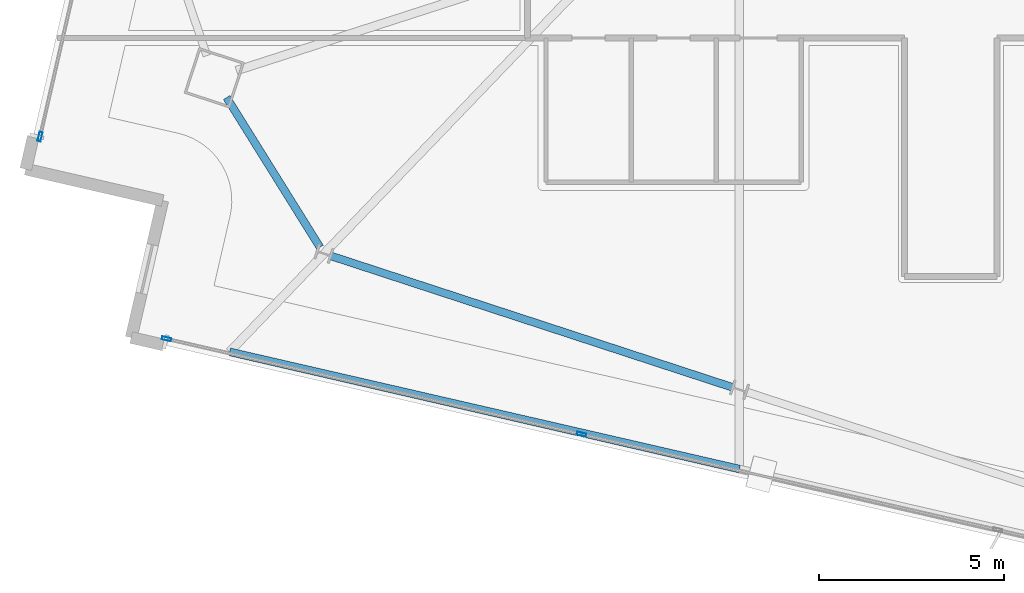
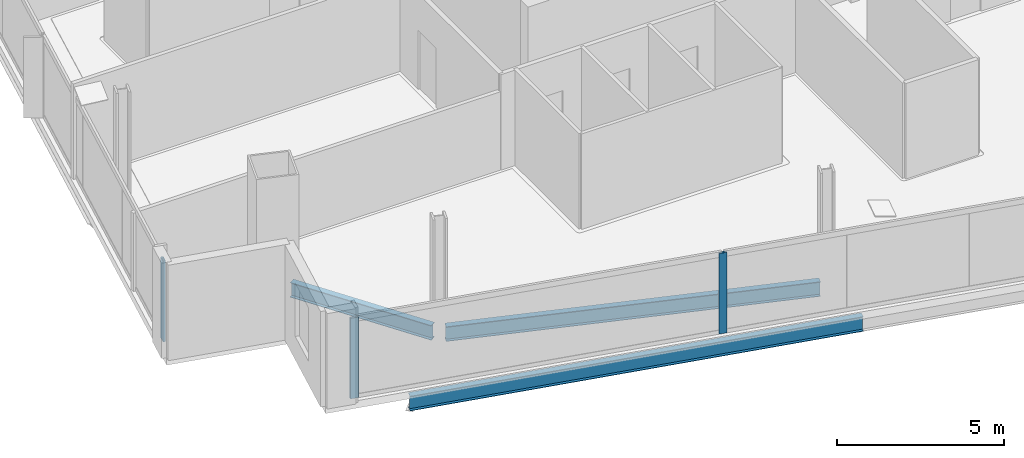
# One storey, part 2 of 28: 3 beams, 3 members, 2 elements without a shape of their own.
"""IFC4 building model written with IfcOpenShell, lengths in metres."""

from ifc_helpers import new_model, si_unit, direction, frame, origin, origin_2d, place, context, subcontext, project, spatial, hollow_rectangle, i_section, extrude, material, material_profile, profile_set, type_object, element, aggregate, save


model = new_model("IFC4")

# Units and contexts
model_context = context("Model", 3, precision=1e-05, world=origin(), true_north=direction((0.0, 1.0)))
body_context = subcontext(model_context, "Body", "Model", "MODEL_VIEW")
ifc_project = project(units=[si_unit("LENGTHUNIT", "METRE"), si_unit("AREAUNIT", "SQUARE_METRE"), si_unit("VOLUMEUNIT", "CUBIC_METRE"), si_unit("PLANEANGLEUNIT", "RADIAN"), si_unit("MASSUNIT", "GRAM", prefix="KILO")], contexts=[model_context])

# Site, building, storey
site_placement = place(None, origin())
site = spatial("IfcSite", under=ifc_project, at=site_placement, CompositionType="ELEMENT")
building_placement = place(site_placement, origin())
building = spatial("IfcBuilding", under=site, at=building_placement, Name="Haldenkirk Collegiate Tower", CompositionType="ELEMENT")
storey_placement = place(building_placement, frame((0.0, 0.0, 286.199951171875)))
storey = spatial("IfcBuildingStorey", under=building, at=storey_placement, Name="L72", CompositionType="ELEMENT", Elevation=286.199951171875)

# Beams
ifc_material_1 = material(Name="Steel ASTM A992 Grade 50", Category="steel")
ifc_material_profile_1 = material_profile(ifc_material_1, i_section(OverallWidth=0.2099609375, OverallDepth=0.537109375, WebThickness=0.010986328125, FlangeThickness=0.017333984375, at=origin_2d()), Name="W21X68")
ifc_profile_set_1 = profile_set([ifc_material_profile_1], Name="Steel ASTM A992 Grade 50")
beam_type = type_object("IfcBeamType", Name="BM-SPANDREL-W21X68", PredefinedType="SPANDREL", material=ifc_profile_set_1)
beam_1_placement = place(storey_placement, frame((16.41064453125, 13.939697265625, -0.538330078125), z_axis=(0.528899826427, -0.848684260255, 0.0), x_axis=(0.848684260255, 0.528899826427, 0.0)))
element("IfcBeam", 1, at=beam_1_placement, inside=storey, type_object=beam_type, Name="L72 perimeter spandrel beam 13", PredefinedType="SPANDREL", context=body_context, shape_type="SweptSolid", body=[
    extrude(i_section(OverallWidth=0.2099609375, OverallDepth=0.537109375, WebThickness=0.010986328125, FlangeThickness=0.017333984375, at=origin_2d()), origin(), (0.0, 0.0, 1.0), 4.77392578125),
])
beam_2_placement = place(storey_placement, frame((19.235107421875, 9.6533203125, -0.538330078125), z_axis=(0.950408846531, -0.311003254701, 0.0), x_axis=(0.311003254701, 0.950408846531, 0.0)))
element("IfcBeam", 2, at=beam_2_placement, inside=storey, type_object=beam_type, Name="L72 perimeter spandrel beam 14", PredefinedType="SPANDREL", context=body_context, shape_type="SweptSolid", body=[
    extrude(i_section(OverallWidth=0.2099609375, OverallDepth=0.537109375, WebThickness=0.010986328125, FlangeThickness=0.017333984375, at=origin_2d()), origin(), (0.0, 0.0, 1.0), 11.421875),
])
beam_3_placement = place(storey_placement, frame((16.4912109375, 7.060302734375, -0.538330078125), z_axis=(0.974567093617, -0.224095917052, 0.0), x_axis=(0.224095917052, 0.974567093617, 0.0)))
element("IfcBeam", 3, at=beam_3_placement, inside=storey, type_object=beam_type, Name="L72 outer facade edge beam 4A", PredefinedType="SPANDREL", context=body_context, shape_type="SweptSolid", body=[
    extrude(i_section(OverallWidth=0.2099609375, OverallDepth=0.537109375, WebThickness=0.010986328125, FlangeThickness=0.017333984375, at=origin_2d()), origin(), (0.0, 0.0, 1.0), 14.15185546875),
])

# Curtain wall, member
ifc_material_2 = material(Name="Anodised architectural bronze aluminium", Category="aluminium")
curtain_wall_type = type_object("IfcCurtainWallType", Name="CW-SYS1B-CONVEX-HI", PredefinedType="USERDEFINED", material=ifc_material_2)
curtain_wall_1_placement = place(storey_placement, origin())
curtain_wall_1 = element("IfcCurtainWall", 4, at=curtain_wall_1_placement, inside=storey, type_object=curtain_wall_type, Name="L72 Upper tower high-wind convex bronze unitised curtain wall", ObjectType="UNITISED CURTAIN WALL", PredefinedType="USERDEFINED")
ifc_material_profile_2 = material_profile(ifc_material_2, hollow_rectangle(XDim=0.0849609375, YDim=0.25, WallThickness=0.0048828125, at=origin_2d()), Name="CW-MUL-1B")
ifc_profile_set_2 = profile_set([ifc_material_profile_2], Name="Anodised architectural bronze aluminium")
member_type = type_object("IfcMemberType", Name="CW-MUL-1B", PredefinedType="MULLION", material=ifc_profile_set_2)
member_1_placement = place(storey_placement, frame((11.363037109375, 12.8798828125, 0.0), z_axis=(0.0, 0.0, 1.0), x_axis=(-0.974566006497, 0.224100644756, 0.0)))
member_1 = element("IfcMember", 5, at=member_1_placement, type_object=member_type, Name="CW-1B mullion 1", PredefinedType="MULLION", context=body_context, shape_type="SweptSolid", body=[
    extrude(hollow_rectangle(XDim=0.0849609375, YDim=0.25, WallThickness=0.0048828125, at=origin_2d()), origin(), (0.0, 0.0, 1.0), 2.93798828125),
])
aggregate(curtain_wall_1, [member_1])

# Curtain wall, members
curtain_wall_2_placement = place(storey_placement, origin())
curtain_wall_2 = element("IfcCurtainWall", 6, at=curtain_wall_2_placement, inside=storey, type_object=curtain_wall_type, Name="L72 Upper tower high-wind convex bronze unitised curtain wall", ObjectType="UNITISED CURTAIN WALL", PredefinedType="USERDEFINED")
member_2_placement = place(storey_placement, frame((26.010009765625, 4.830322265625, 0.0), z_axis=(0.0, 0.0, 1.0), x_axis=(-0.22410077316, -0.974565976971, 0.0)))
member_2 = element("IfcMember", 7, at=member_2_placement, type_object=member_type, Name="CW-1B mullion 3", PredefinedType="MULLION", context=body_context, shape_type="SweptSolid", body=[
    extrude(hollow_rectangle(XDim=0.0849609375, YDim=0.25, WallThickness=0.0048828125, at=origin_2d()), origin(), (0.0, 0.0, 1.0), 2.93798828125),
])
member_3_placement = place(storey_placement, frame((14.787109375, 7.410888671875, 0.0), z_axis=(0.0, 0.0, 1.0), x_axis=(-0.22410077316, -0.974565976971, 0.0)))
member_3 = element("IfcMember", 8, at=member_3_placement, type_object=member_type, Name="CW-1B mullion 4", PredefinedType="MULLION", context=body_context, shape_type="SweptSolid", body=[
    extrude(hollow_rectangle(XDim=0.0849609375, YDim=0.25, WallThickness=0.0048828125, at=origin_2d()), origin(), (0.0, 0.0, 1.0), 2.93798828125),
])
aggregate(curtain_wall_2, [member_2, member_3])

save(model, "model.ifc")
